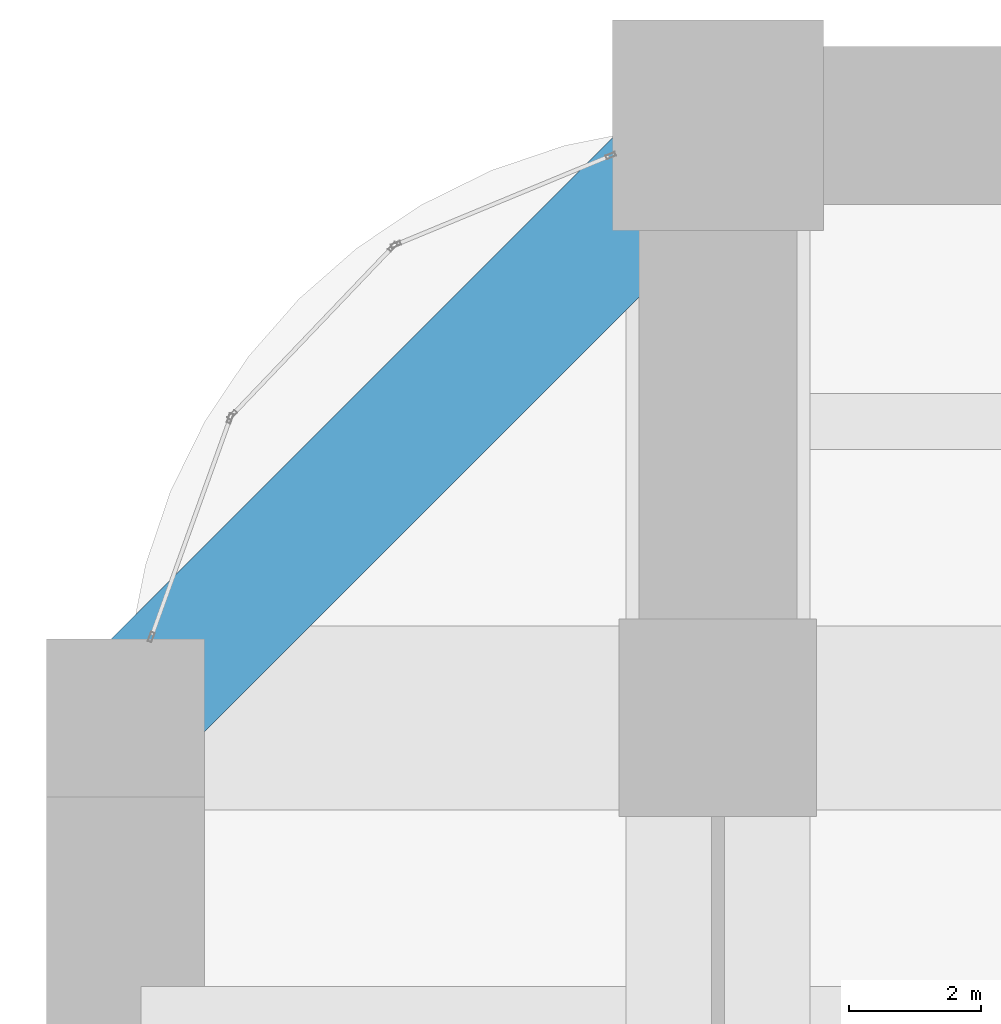
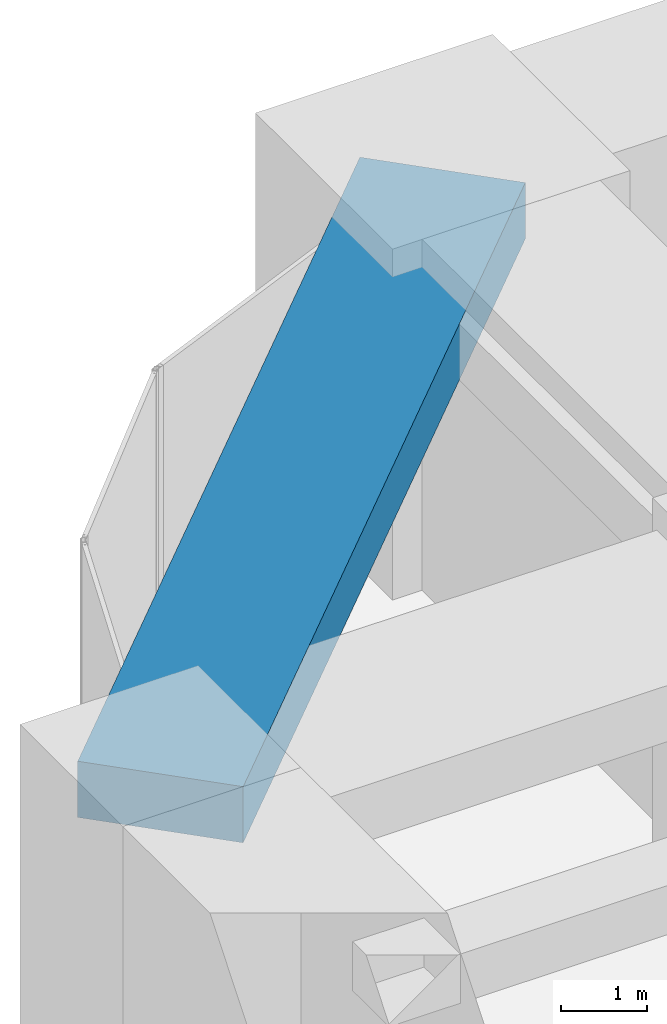
# One storey, part 24 of 35: 1 beam.
"""IFC4 building model written with IfcOpenShell, lengths in metres."""

from ifc_helpers import new_model, si_unit, direction, frame, origin, origin_2d, place, context, subcontext, project, spatial, rectangle, extrude, material, material_profile, profile_set, type_object, element, save


model = new_model("IFC4")

# Units and contexts
model_context = context("Model", 3, precision=1e-05, world=origin(), true_north=direction((0.0, 1.0)))
body_context = subcontext(model_context, "Body", "Model", "MODEL_VIEW")
ifc_project = project(units=[si_unit("LENGTHUNIT", "METRE"), si_unit("AREAUNIT", "SQUARE_METRE"), si_unit("VOLUMEUNIT", "CUBIC_METRE"), si_unit("PLANEANGLEUNIT", "RADIAN"), si_unit("MASSUNIT", "GRAM", prefix="KILO")], contexts=[model_context])

# Site, building, storey
site_placement = place(None, origin())
site = spatial("IfcSite", under=ifc_project, at=site_placement, CompositionType="ELEMENT")
building_placement = place(site_placement, origin())
building = spatial("IfcBuilding", under=site, at=building_placement, Name="Zorevar Civic Tower", CompositionType="ELEMENT")
storey_placement = place(building_placement, frame((0.0, 0.0, 80.0)))
storey = spatial("IfcBuildingStorey", under=building, at=storey_placement, Name="L19", CompositionType="ELEMENT", Elevation=80.0)

# Beam
ifc_material = material(Name="Concrete C50/60", Category="concrete")
ifc_material_profile = material_profile(ifc_material, rectangle(XDim=2.0, YDim=0.800048828125, at=origin_2d()), Name="RC 2000x800")
ifc_profile_set = profile_set([ifc_material_profile], Name="Concrete C50/60")
beam_type = type_object("IfcBeamType", Name="Edge beam RC 2000x800", PredefinedType="SPANDREL", material=ifc_profile_set)
beam_placement = place(storey_placement, frame((9.0, 54.0, 4.199951171875), z_axis=(-0.707106781187, -0.707106781187, 0.0), x_axis=(0.707106781187, -0.707106781187, 0.0)))
element("IfcBeam", 1, at=beam_placement, inside=storey, type_object=beam_type, Name="Corner edge beam L20", PredefinedType="SPANDREL", context=body_context, shape_type="SweptSolid", body=[
    extrude(rectangle(XDim=2.0, YDim=0.800048828125, at=origin_2d()), origin(), (0.0, 0.0, 1.0), 12.72802734375),
])

save(model, "model.ifc")
